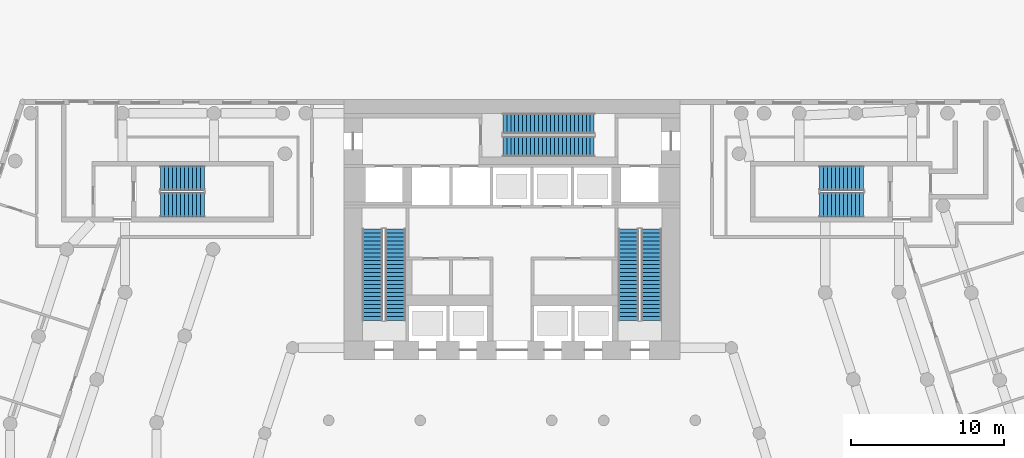
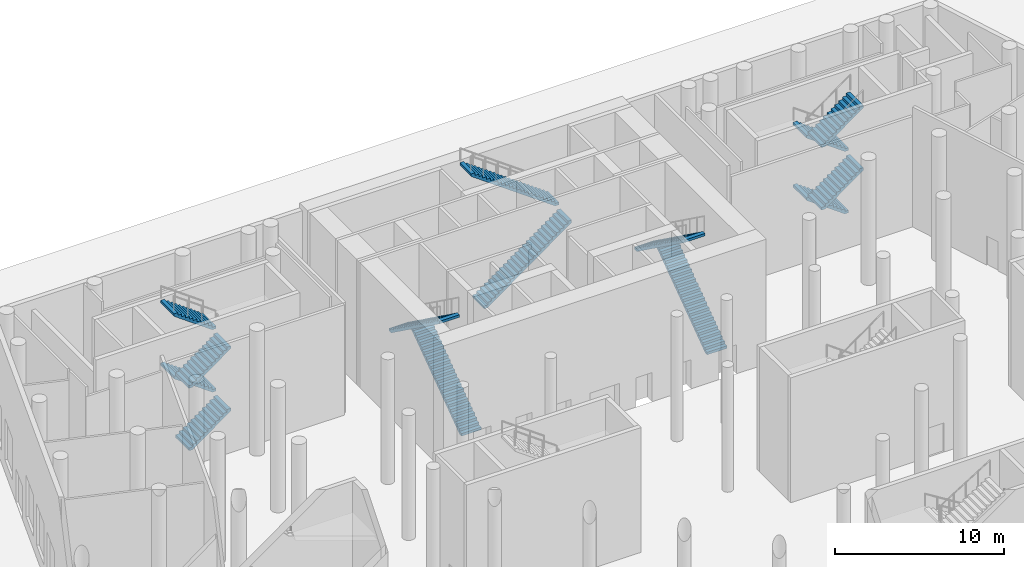
# One storey, part 18 of 25: 14 stair flights, 5 elements without a shape of their own.
"""IFC4 building model written with IfcOpenShell, lengths in metres."""

import ifcopenshell
import ifcopenshell.guid

model = None  # the IFC model being written
_history = None  # IfcOwnerHistory: only IFC2X3 demands one
_inside = {}  # id of a spatial element -> (the spatial element, [elements in it])
_under = {}  # id of a project, library or spatial element -> (it, [spatial elements below it])
_declared = {}  # id of a project -> (the project, [libraries it declares])
_typed = {}  # id of a type object -> (the type object, [elements of that type])
_made_of = {}  # id of a material, layer set ... -> (it, [elements and type objects made of it])


def new_model(schema):
    """Start an empty IFC model of exactly this schema.

    Asked for "IFC4X3", IfcOpenShell would pick the latest addendum, in which some entities
    have other attributes; the version numbers below select the first issue.
    IFC2X3 requires an IfcOwnerHistory on every rooted entity: one is made here for all.
    """
    global model, _history
    if schema == "IFC4X3":
        model = ifcopenshell.file(schema_version=(4, 3, 0, 0))
    else:
        model = ifcopenshell.file(schema=schema)
    _inside.clear()
    _under.clear()
    _declared.clear()
    _typed.clear()
    _made_of.clear()
    _history = None
    if model.schema == "IFC2X3":
        org = make("IfcOrganization", Name="unknown")
        user = make(
            "IfcPersonAndOrganization",
            ThePerson=make("IfcPerson", FamilyName="unknown"),
            TheOrganization=org,
        )
        app = make(
            "IfcApplication",
            ApplicationDeveloper=org,
            Version="unknown",
            ApplicationFullName="unknown",
            ApplicationIdentifier="unknown",
        )
        _history = make(
            "IfcOwnerHistory",
            OwningUser=user,
            OwningApplication=app,
            ChangeAction="ADDED",
            CreationDate=0,
        )
    return model


def make(cls, **values):
    """One entity of the class cls with the attributes given. An attribute that is None is left unset."""
    return model.create_entity(
        cls, **{name: value for name, value in values.items() if value is not None}
    )


def rooted(cls, **values):
    """An entity with a GlobalId (a new one), such as an element, a storey or a relation."""
    return make(cls, GlobalId=ifcopenshell.guid.new(), OwnerHistory=_history, **values)


def si_unit(unit_type, name, prefix=None):
    """IfcSIUnit, for example si_unit("LENGTHUNIT", "METRE", prefix="MILLI")."""
    return make("IfcSIUnit", UnitType=unit_type, Prefix=prefix, Name=name)


def assignment(units):
    """IfcUnitAssignment: the units of a project."""
    return None if units is None else make("IfcUnitAssignment", Units=units)


def point(xyz):
    """IfcCartesianPoint."""
    return None if xyz is None else make("IfcCartesianPoint", Coordinates=xyz)


def direction(xyz):
    """IfcDirection."""
    return None if xyz is None else make("IfcDirection", DirectionRatios=xyz)


def frame(location, z_axis=None, x_axis=None):
    """IfcAxis2Placement3D, a coordinate frame: its origin and axes. An axis left out is left unset."""
    return make(
        "IfcAxis2Placement3D",
        Location=point(location),
        Axis=direction(z_axis),
        RefDirection=direction(x_axis),
    )


def origin():
    """The frame at (0, 0, 0) with its axes left unset."""
    return frame((0.0, 0.0, 0.0))


def place(relative_to, where):
    """IfcLocalPlacement: puts the frame where relative to a parent placement (None: the world)."""
    return make(
        "IfcLocalPlacement", PlacementRelTo=relative_to, RelativePlacement=where
    )


def context(
    kind, dimensions, precision=None, world=None, true_north=None, identifier=None
):
    """IfcGeometricRepresentationContext, for example the 3D "Model" context."""
    return make(
        "IfcGeometricRepresentationContext",
        ContextIdentifier=identifier,
        ContextType=kind,
        CoordinateSpaceDimension=dimensions,
        Precision=precision,
        WorldCoordinateSystem=world,
        TrueNorth=true_north,
    )


def subcontext(parent, identifier, kind, view, scale=None):
    """IfcGeometricRepresentationSubContext, for example "Body" below "Model"."""
    return make(
        "IfcGeometricRepresentationSubContext",
        ContextIdentifier=identifier,
        ContextType=kind,
        ParentContext=parent,
        TargetScale=scale,
        TargetView=view,
    )


def project(units=None, contexts=None):
    """IfcProject with its units and contexts."""
    return rooted(
        "IfcProject",
        Name="project",
        RepresentationContexts=contexts,
        UnitsInContext=assignment(units),
    )


def spatial(cls, under=None, at=None, **own):
    """A site, building, storey or space (cls), placed at a placement, below another one or the project."""
    s = rooted(cls, ObjectPlacement=at, **own)
    if under is not None:
        _under.setdefault(under.id(), (under, []))[1].append(s)
    return s


def polyline(points):
    """IfcPolyline through the points."""
    return make("IfcPolyline", Points=[point(p) for p in points])


def outline(outer, holes=None, kind="AREA"):
    """IfcArbitraryClosedProfileDef: a profile drawn as a closed curve; with holes, ...WithVoids."""
    if holes is None:
        return make("IfcArbitraryClosedProfileDef", ProfileType=kind, OuterCurve=outer)
    return make(
        "IfcArbitraryProfileDefWithVoids",
        ProfileType=kind,
        OuterCurve=outer,
        InnerCurves=holes,
    )


def extrude(swept, where, along, depth):
    """IfcExtrudedAreaSolid: the profile swept, set in the frame where, extruded along a direction by depth."""
    return make(
        "IfcExtrudedAreaSolid",
        SweptArea=swept,
        Position=where,
        ExtrudedDirection=direction(along),
        Depth=depth,
    )


def shape(context_of_items, identifier, shape_type, items):
    """IfcShapeRepresentation: the items that make up one representation, for example the "Body"."""
    return make(
        "IfcShapeRepresentation",
        ContextOfItems=context_of_items,
        RepresentationIdentifier=identifier,
        RepresentationType=shape_type,
        Items=items,
    )


def material(Name=None, Category=None):
    """IfcMaterial."""
    return make("IfcMaterial", Name=Name, Category=Category)


def layer(
    of_material, thickness, ventilated=None, Name=None, Category=None, Priority=None
):
    """IfcMaterialLayer: one layer of a wall or slab, of a material (None: an air gap)."""
    return make(
        "IfcMaterialLayer",
        Material=of_material,
        LayerThickness=thickness,
        IsVentilated=ventilated,
        Name=Name,
        Category=Category,
        Priority=Priority,
    )


def layer_set(layers, Name=None):
    """IfcMaterialLayerSet."""
    return make("IfcMaterialLayerSet", MaterialLayers=layers, LayerSetName=Name)


def made_of(thing, what):
    """Note that an element or type object is made of a material, layer set ...; save() writes the relation."""
    if what is not None:
        _made_of.setdefault(what.id(), (what, []))[1].append(thing)
    return thing


def type_object(cls, material=None, **own):
    """A type object (cls), such as IfcWallType, which elements share."""
    return made_of(rooted(cls, **own), material)


def element(
    cls,
    number,
    at=None,
    inside=None,
    cuts=None,
    type_object=None,
    material=None,
    context=None,
    identifier="Body",
    shape_type=None,
    held_by="IfcProductDefinitionShape",
    body=None,
    shapes=None,
    **own,
):
    """One element of the class cls, such as IfcWall. Its Tag is "e" and its number.

    at: its placement. inside: the storey or other place that contains it. cuts: it is an
    opening in that element (IfcRelVoidsElement). A single representation is given by context,
    identifier, shape_type and body (its items); several are given by shapes. held_by: the class
    of the entity that holds the representations. save() writes the other relations.
    """
    e = rooted(cls, Tag="e%d" % number, ObjectPlacement=at, **own)
    if body is not None:
        shapes = [shape(context, identifier, shape_type, body)]
    if shapes is not None:
        e.Representation = make(held_by, Representations=shapes)
    if inside is not None:
        _inside.setdefault(inside.id(), (inside, []))[1].append(e)
    if cuts is not None:
        rooted(
            "IfcRelVoidsElement", RelatingBuildingElement=cuts, RelatedOpeningElement=e
        )
    if type_object is not None:
        _typed.setdefault(type_object.id(), (type_object, []))[1].append(e)
    return made_of(e, material)


def aggregate(whole, parts):
    """IfcRelAggregates: a whole, such as a stair, and the parts it consists of."""
    return rooted("IfcRelAggregates", RelatingObject=whole, RelatedObjects=parts)


def save(model, path):
    """Write the relations noted so far, then the file.

    IfcRelAggregates (storeys below a building ...), IfcRelContainedInSpatialStructure (elements
    in a storey), IfcRelDefinesByType, IfcRelAssociatesMaterial and IfcRelDeclares: one each for
    every whole, place, type object, material and project.
    """
    for whole, parts in _under.values():
        aggregate(whole, parts)
    for where, things in _inside.values():
        rooted(
            "IfcRelContainedInSpatialStructure",
            RelatedElements=things,
            RelatingStructure=where,
        )
    for kind, things in _typed.values():
        rooted("IfcRelDefinesByType", RelatedObjects=things, RelatingType=kind)
    for what, things in _made_of.values():
        rooted("IfcRelAssociatesMaterial", RelatedObjects=things, RelatingMaterial=what)
    for by, libraries in _declared.values():
        rooted("IfcRelDeclares", RelatingContext=by, RelatedDefinitions=libraries)
    model.write(path)


model = new_model("IFC4")

# Units and contexts
model_context = context("Model", 3, precision=1e-05, world=origin(), true_north=direction((0.0, 1.0)))
body_context = subcontext(model_context, "Body", "Model", "MODEL_VIEW")
ifc_project = project(units=[si_unit("LENGTHUNIT", "METRE"), si_unit("AREAUNIT", "SQUARE_METRE"), si_unit("VOLUMEUNIT", "CUBIC_METRE"), si_unit("PLANEANGLEUNIT", "RADIAN"), si_unit("MASSUNIT", "GRAM", prefix="KILO")], contexts=[model_context])

# Site, building, storey
site_placement = place(None, origin())
site = spatial("IfcSite", under=ifc_project, at=site_placement, CompositionType="ELEMENT")
building_placement = place(site_placement, origin())
building = spatial("IfcBuilding", under=site, at=building_placement, Name="White Candle Pilgrim Tower", CompositionType="ELEMENT")
storey_placement = place(building_placement, origin())
storey = spatial("IfcBuildingStorey", under=building, at=storey_placement, Name="L00", CompositionType="ELEMENT", Elevation=0.0)

# Stair, stair flights
ifc_material = material(Name="Concrete C40/50", Category="concrete")
stair_type_1 = type_object("IfcStairType", Name="Exit stair 1 flight width 1350 mm", PredefinedType="HALF_TURN_STAIR", material=ifc_material)
stair_1_placement = place(storey_placement, origin())
stair_1 = element("IfcStair", 1, at=stair_1_placement, inside=storey, type_object=stair_type_1, Name="L00 stair 1", PredefinedType="NOTDEFINED")
ifc_layer = layer(ifc_material, 0.14990234375)
ifc_layer_set = layer_set([ifc_layer], Name="Stair flight Concrete C40/50")
stair_flight_type = type_object("IfcStairFlightType", Name="Stair flight Concrete C40/50", PredefinedType="STRAIGHT", material=ifc_layer_set)
stair_flight_1_placement = place(storey_placement, frame((62.375, 73.550048828125, 0.0), z_axis=(0.0, 0.0, 1.0), x_axis=(0.0, 1.0, 0.0)))
stair_flight_1 = element("IfcStairFlight", 2, at=stair_flight_1_placement, type_object=stair_flight_type, Name="ST1 flight 1", NumberOfRisers=24, NumberOfTreads=23, PredefinedType="NOTDEFINED", RiserHeight=0.1875, TreadLength=0.26, context=body_context, shape_type="SweptSolid", body=[
    extrude(outline(polyline([(0.0, 0.0), (0.0, 0.1875), (0.260009765625, 0.1875), (0.260009765625, 0.375), (0.52001953125, 0.375), (0.52001953125, 0.5625), (0.780029296875, 0.5625), (0.780029296875, 0.75), (1.0400390625, 0.75), (1.0400390625, 0.9375), (1.300048828125, 0.9375), (1.300048828125, 1.125), (1.56005859375, 1.125), (1.56005859375, 1.3125), (1.820068359375, 1.3125), (1.820068359375, 1.5), (2.080078125, 1.5), (2.080078125, 1.6875), (2.340087890625, 1.6875), (2.340087890625, 1.875), (2.60009765625, 1.875), (2.60009765625, 2.0625), (2.860107421875, 2.0625), (2.860107421875, 2.25), (3.1201171875, 2.25), (3.1201171875, 2.4375), (3.3798828125, 2.4375), (3.3798828125, 2.625), (3.639892578125, 2.625), (3.639892578125, 2.8125), (3.89990234375, 2.8125), (3.89990234375, 3.0), (4.159912109375, 3.0), (4.159912109375, 3.1875), (4.419921875, 3.1875), (4.419921875, 3.375), (4.679931640625, 3.375), (4.679931640625, 3.5625), (4.93994140625, 3.5625), (4.93994140625, 3.75), (5.199951171875, 3.75), (5.199951171875, 3.9375), (5.4599609375, 3.9375), (5.4599609375, 4.125), (5.719970703125, 4.125), (5.719970703125, 4.3125), (5.97998046875, 4.3125), (5.97998046875, 4.5), (5.97998046875, 4.127685546875), (0.25634765625, 0.0), (0.0, 0.0)])), frame((0.0, 0.675048828125, 0.0), z_axis=(0.0, -1.0, 0.0), x_axis=(1.0, 0.0, 0.0)), (0.0, 0.0, 1.0), 1.35009765625),
])
stair_flight_2_placement = place(storey_placement, frame((60.875, 79.530029296875, 4.5), z_axis=(0.0, 0.0, 1.0), x_axis=(0.0, -1.0, 0.0)))
stair_flight_2 = element("IfcStairFlight", 3, at=stair_flight_2_placement, type_object=stair_flight_type, Name="ST1 flight 2", NumberOfRisers=24, NumberOfTreads=23, PredefinedType="NOTDEFINED", RiserHeight=0.1875, TreadLength=0.26, context=body_context, shape_type="SweptSolid", body=[
    extrude(outline(polyline([(0.0, 0.0), (0.0, 0.1875), (0.260009765625, 0.1875), (0.260009765625, 0.375), (0.52001953125, 0.375), (0.52001953125, 0.5625), (0.780029296875, 0.5625), (0.780029296875, 0.75), (1.0400390625, 0.75), (1.0400390625, 0.9375), (1.300048828125, 0.9375), (1.300048828125, 1.125), (1.56005859375, 1.125), (1.56005859375, 1.3125), (1.820068359375, 1.3125), (1.820068359375, 1.5), (2.080078125, 1.5), (2.080078125, 1.6875), (2.340087890625, 1.6875), (2.340087890625, 1.875), (2.60009765625, 1.875), (2.60009765625, 2.0625), (2.860107421875, 2.0625), (2.860107421875, 2.25), (3.1201171875, 2.25), (3.1201171875, 2.4375), (3.3798828125, 2.4375), (3.3798828125, 2.625), (3.639892578125, 2.625), (3.639892578125, 2.8125), (3.89990234375, 2.8125), (3.89990234375, 3.0), (4.159912109375, 3.0), (4.159912109375, 3.1875), (4.419921875, 3.1875), (4.419921875, 3.375), (4.679931640625, 3.375), (4.679931640625, 3.5625), (4.93994140625, 3.5625), (4.93994140625, 3.75), (5.199951171875, 3.75), (5.199951171875, 3.9375), (5.4599609375, 3.9375), (5.4599609375, 4.125), (5.719970703125, 4.125), (5.719970703125, 4.3125), (5.97998046875, 4.3125), (5.97998046875, 4.5), (5.97998046875, 4.127685546875), (0.25634765625, 0.0), (0.0, 0.0)])), frame((0.0, 0.675048828125, 0.0), z_axis=(0.0, -1.0, 0.0), x_axis=(1.0, 0.0, 0.0)), (0.0, 0.0, 1.0), 1.35009765625),
])
aggregate(stair_1, [stair_flight_1, stair_flight_2])

stair_type_2 = type_object("IfcStairType", Name="Exit stair 2 flight width 1350 mm", PredefinedType="HALF_TURN_STAIR", material=ifc_material)
stair_2_placement = place(storey_placement, origin())
stair_2 = element("IfcStair", 4, at=stair_2_placement, inside=storey, type_object=stair_type_2, Name="L00 stair 2", PredefinedType="NOTDEFINED")
stair_flight_3_placement = place(storey_placement, frame((79.125, 73.550048828125, 0.0), z_axis=(0.0, 0.0, 1.0), x_axis=(0.0, 1.0, 0.0)))
stair_flight_3 = element("IfcStairFlight", 5, at=stair_flight_3_placement, type_object=stair_flight_type, Name="ST2 flight 1", NumberOfRisers=24, NumberOfTreads=23, PredefinedType="NOTDEFINED", RiserHeight=0.1875, TreadLength=0.26, context=body_context, shape_type="SweptSolid", body=[
    extrude(outline(polyline([(0.0, 0.0), (0.0, 0.1875), (0.260009765625, 0.1875), (0.260009765625, 0.375), (0.52001953125, 0.375), (0.52001953125, 0.5625), (0.780029296875, 0.5625), (0.780029296875, 0.75), (1.0400390625, 0.75), (1.0400390625, 0.9375), (1.300048828125, 0.9375), (1.300048828125, 1.125), (1.56005859375, 1.125), (1.56005859375, 1.3125), (1.820068359375, 1.3125), (1.820068359375, 1.5), (2.080078125, 1.5), (2.080078125, 1.6875), (2.340087890625, 1.6875), (2.340087890625, 1.875), (2.60009765625, 1.875), (2.60009765625, 2.0625), (2.860107421875, 2.0625), (2.860107421875, 2.25), (3.1201171875, 2.25), (3.1201171875, 2.4375), (3.3798828125, 2.4375), (3.3798828125, 2.625), (3.639892578125, 2.625), (3.639892578125, 2.8125), (3.89990234375, 2.8125), (3.89990234375, 3.0), (4.159912109375, 3.0), (4.159912109375, 3.1875), (4.419921875, 3.1875), (4.419921875, 3.375), (4.679931640625, 3.375), (4.679931640625, 3.5625), (4.93994140625, 3.5625), (4.93994140625, 3.75), (5.199951171875, 3.75), (5.199951171875, 3.9375), (5.4599609375, 3.9375), (5.4599609375, 4.125), (5.719970703125, 4.125), (5.719970703125, 4.3125), (5.97998046875, 4.3125), (5.97998046875, 4.5), (5.97998046875, 4.127685546875), (0.25634765625, 0.0), (0.0, 0.0)])), frame((0.0, 0.675048828125, 0.0), z_axis=(0.0, -1.0, 0.0), x_axis=(1.0, 0.0, 0.0)), (0.0, 0.0, 1.0), 1.35009765625),
])
stair_flight_4_placement = place(storey_placement, frame((77.625, 79.530029296875, 4.5), z_axis=(0.0, 0.0, 1.0), x_axis=(0.0, -1.0, 0.0)))
stair_flight_4 = element("IfcStairFlight", 6, at=stair_flight_4_placement, type_object=stair_flight_type, Name="ST2 flight 2", NumberOfRisers=24, NumberOfTreads=23, PredefinedType="NOTDEFINED", RiserHeight=0.1875, TreadLength=0.26, context=body_context, shape_type="SweptSolid", body=[
    extrude(outline(polyline([(0.0, 0.0), (0.0, 0.1875), (0.260009765625, 0.1875), (0.260009765625, 0.375), (0.52001953125, 0.375), (0.52001953125, 0.5625), (0.780029296875, 0.5625), (0.780029296875, 0.75), (1.0400390625, 0.75), (1.0400390625, 0.9375), (1.300048828125, 0.9375), (1.300048828125, 1.125), (1.56005859375, 1.125), (1.56005859375, 1.3125), (1.820068359375, 1.3125), (1.820068359375, 1.5), (2.080078125, 1.5), (2.080078125, 1.6875), (2.340087890625, 1.6875), (2.340087890625, 1.875), (2.60009765625, 1.875), (2.60009765625, 2.0625), (2.860107421875, 2.0625), (2.860107421875, 2.25), (3.1201171875, 2.25), (3.1201171875, 2.4375), (3.3798828125, 2.4375), (3.3798828125, 2.625), (3.639892578125, 2.625), (3.639892578125, 2.8125), (3.89990234375, 2.8125), (3.89990234375, 3.0), (4.159912109375, 3.0), (4.159912109375, 3.1875), (4.419921875, 3.1875), (4.419921875, 3.375), (4.679931640625, 3.375), (4.679931640625, 3.5625), (4.93994140625, 3.5625), (4.93994140625, 3.75), (5.199951171875, 3.75), (5.199951171875, 3.9375), (5.4599609375, 3.9375), (5.4599609375, 4.125), (5.719970703125, 4.125), (5.719970703125, 4.3125), (5.97998046875, 4.3125), (5.97998046875, 4.5), (5.97998046875, 4.127685546875), (0.25634765625, 0.0), (0.0, 0.0)])), frame((0.0, 0.675048828125, 0.0), z_axis=(0.0, -1.0, 0.0), x_axis=(1.0, 0.0, 0.0)), (0.0, 0.0, 1.0), 1.35009765625),
])
aggregate(stair_2, [stair_flight_3, stair_flight_4])

stair_type_3 = type_object("IfcStairType", Name="Exit stair 3 flight width 1350 mm", PredefinedType="HALF_TURN_STAIR", material=ifc_material)
stair_3_placement = place(storey_placement, origin())
stair_3 = element("IfcStair", 7, at=stair_3_placement, inside=storey, type_object=stair_type_3, Name="L00 stair 3", PredefinedType="NOTDEFINED")
stair_flight_5_placement = place(storey_placement, frame((69.39990234375, 84.925048828125, 0.0), z_axis=(0.0, 0.0, 1.0), x_axis=(1.0, 0.0, 0.0)))
stair_flight_5 = element("IfcStairFlight", 8, at=stair_flight_5_placement, type_object=stair_flight_type, Name="ST3 flight 1", NumberOfRisers=24, NumberOfTreads=23, PredefinedType="NOTDEFINED", RiserHeight=0.1875, TreadLength=0.26, context=body_context, shape_type="SweptSolid", body=[
    extrude(outline(polyline([(0.0, 0.0), (0.0, 0.1875), (0.260009765625, 0.1875), (0.260009765625, 0.375), (0.52001953125, 0.375), (0.52001953125, 0.5625), (0.780029296875, 0.5625), (0.780029296875, 0.75), (1.0400390625, 0.75), (1.0400390625, 0.9375), (1.300048828125, 0.9375), (1.300048828125, 1.125), (1.56005859375, 1.125), (1.56005859375, 1.3125), (1.820068359375, 1.3125), (1.820068359375, 1.5), (2.080078125, 1.5), (2.080078125, 1.6875), (2.340087890625, 1.6875), (2.340087890625, 1.875), (2.60009765625, 1.875), (2.60009765625, 2.0625), (2.860107421875, 2.0625), (2.860107421875, 2.25), (3.1201171875, 2.25), (3.1201171875, 2.4375), (3.3798828125, 2.4375), (3.3798828125, 2.625), (3.639892578125, 2.625), (3.639892578125, 2.8125), (3.89990234375, 2.8125), (3.89990234375, 3.0), (4.159912109375, 3.0), (4.159912109375, 3.1875), (4.419921875, 3.1875), (4.419921875, 3.375), (4.679931640625, 3.375), (4.679931640625, 3.5625), (4.93994140625, 3.5625), (4.93994140625, 3.75), (5.199951171875, 3.75), (5.199951171875, 3.9375), (5.4599609375, 3.9375), (5.4599609375, 4.125), (5.719970703125, 4.125), (5.719970703125, 4.3125), (5.97998046875, 4.3125), (5.97998046875, 4.5), (5.97998046875, 4.127685546875), (0.25634765625, 0.0), (0.0, 0.0)])), frame((0.0, 0.675048828125, 0.0), z_axis=(0.0, -1.0, 0.0), x_axis=(1.0, 0.0, 0.0)), (0.0, 0.0, 1.0), 1.35009765625),
])
stair_flight_6_placement = place(storey_placement, frame((75.3798828125, 86.425048828125, 4.5), z_axis=(0.0, 0.0, 1.0), x_axis=(-1.0, 0.0, 0.0)))
stair_flight_6 = element("IfcStairFlight", 9, at=stair_flight_6_placement, type_object=stair_flight_type, Name="ST3 flight 2", NumberOfRisers=24, NumberOfTreads=23, PredefinedType="NOTDEFINED", RiserHeight=0.1875, TreadLength=0.26, context=body_context, shape_type="SweptSolid", body=[
    extrude(outline(polyline([(0.0, 0.0), (0.0, 0.1875), (0.260009765625, 0.1875), (0.260009765625, 0.375), (0.52001953125, 0.375), (0.52001953125, 0.5625), (0.780029296875, 0.5625), (0.780029296875, 0.75), (1.0400390625, 0.75), (1.0400390625, 0.9375), (1.300048828125, 0.9375), (1.300048828125, 1.125), (1.56005859375, 1.125), (1.56005859375, 1.3125), (1.820068359375, 1.3125), (1.820068359375, 1.5), (2.080078125, 1.5), (2.080078125, 1.6875), (2.340087890625, 1.6875), (2.340087890625, 1.875), (2.60009765625, 1.875), (2.60009765625, 2.0625), (2.860107421875, 2.0625), (2.860107421875, 2.25), (3.1201171875, 2.25), (3.1201171875, 2.4375), (3.3798828125, 2.4375), (3.3798828125, 2.625), (3.639892578125, 2.625), (3.639892578125, 2.8125), (3.89990234375, 2.8125), (3.89990234375, 3.0), (4.159912109375, 3.0), (4.159912109375, 3.1875), (4.419921875, 3.1875), (4.419921875, 3.375), (4.679931640625, 3.375), (4.679931640625, 3.5625), (4.93994140625, 3.5625), (4.93994140625, 3.75), (5.199951171875, 3.75), (5.199951171875, 3.9375), (5.4599609375, 3.9375), (5.4599609375, 4.125), (5.719970703125, 4.125), (5.719970703125, 4.3125), (5.97998046875, 4.3125), (5.97998046875, 4.5), (5.97998046875, 4.127685546875), (0.25634765625, 0.0), (0.0, 0.0)])), frame((0.0, 0.675048828125, 0.0), z_axis=(0.0, -1.0, 0.0), x_axis=(1.0, 0.0, 0.0)), (0.0, 0.0, 1.0), 1.35009765625),
])
aggregate(stair_3, [stair_flight_5, stair_flight_6])

stair_type_4 = type_object("IfcStairType", Name="Exit stair 10 flight width 1600 mm", PredefinedType="HALF_TURN_STAIR", material=ifc_material)
stair_4_placement = place(storey_placement, origin())
stair_4 = element("IfcStair", 10, at=stair_4_placement, inside=storey, type_object=stair_type_4, Name="L00 stair 10", PredefinedType="NOTDEFINED")
stair_flight_7_placement = place(storey_placement, frame((47.0, 81.10009765625, 0.0), z_axis=(0.0, 0.0, 1.0), x_axis=(1.0, 0.0, 0.0)))
stair_flight_7 = element("IfcStairFlight", 11, at=stair_flight_7_placement, type_object=stair_flight_type, Name="ST10 flight 1", NumberOfRisers=12, NumberOfTreads=11, PredefinedType="NOTDEFINED", RiserHeight=0.1875, TreadLength=0.26, context=body_context, shape_type="SweptSolid", body=[
    extrude(outline(polyline([(0.0, 0.0), (0.0, 0.1875), (0.260009765625, 0.1875), (0.260009765625, 0.375), (0.52001953125, 0.375), (0.52001953125, 0.5625), (0.780029296875, 0.5625), (0.780029296875, 0.75), (1.0400390625, 0.75), (1.0400390625, 0.9375), (1.300048828125, 0.9375), (1.300048828125, 1.125), (1.56005859375, 1.125), (1.56005859375, 1.3125), (1.820068359375, 1.3125), (1.820068359375, 1.5), (2.080078125, 1.5), (2.080078125, 1.6875), (2.340087890625, 1.6875), (2.340087890625, 1.875), (2.60009765625, 1.875), (2.60009765625, 2.0625), (2.860107421875, 2.0625), (2.860107421875, 2.25), (2.860107421875, 1.877685546875), (0.25634765625, 0.0), (0.0, 0.0)])), frame((0.0, 0.800048828125, 0.0), z_axis=(0.0, -1.0, 0.0), x_axis=(1.0, 0.0, 0.0)), (0.0, 0.0, 1.0), 1.60009765625),
])
stair_flight_8_placement = place(storey_placement, frame((49.860107421875, 82.85009765625, 2.25), z_axis=(0.0, 0.0, 1.0), x_axis=(-1.0, 0.0, 0.0)))
stair_flight_8 = element("IfcStairFlight", 12, at=stair_flight_8_placement, type_object=stair_flight_type, Name="ST10 flight 2", NumberOfRisers=12, NumberOfTreads=11, PredefinedType="NOTDEFINED", RiserHeight=0.1875, TreadLength=0.26, context=body_context, shape_type="SweptSolid", body=[
    extrude(outline(polyline([(0.0, 0.0), (0.0, 0.1875), (0.260009765625, 0.1875), (0.260009765625, 0.375), (0.52001953125, 0.375), (0.52001953125, 0.5625), (0.780029296875, 0.5625), (0.780029296875, 0.75), (1.0400390625, 0.75), (1.0400390625, 0.9375), (1.300048828125, 0.9375), (1.300048828125, 1.125), (1.56005859375, 1.125), (1.56005859375, 1.3125), (1.820068359375, 1.3125), (1.820068359375, 1.5), (2.080078125, 1.5), (2.080078125, 1.6875), (2.340087890625, 1.6875), (2.340087890625, 1.875), (2.60009765625, 1.875), (2.60009765625, 2.0625), (2.860107421875, 2.0625), (2.860107421875, 2.25), (2.860107421875, 1.877685546875), (0.25634765625, 0.0), (0.0, 0.0)])), frame((0.0, 0.800048828125, 0.0), z_axis=(0.0, -1.0, 0.0), x_axis=(1.0, 0.0, 0.0)), (0.0, 0.0, 1.0), 1.60009765625),
])
stair_flight_9_placement = place(storey_placement, frame((47.0, 81.10009765625, 4.5), z_axis=(0.0, 0.0, 1.0), x_axis=(1.0, 0.0, 0.0)))
stair_flight_9 = element("IfcStairFlight", 13, at=stair_flight_9_placement, type_object=stair_flight_type, Name="ST10 flight 3", NumberOfRisers=12, NumberOfTreads=11, PredefinedType="NOTDEFINED", RiserHeight=0.1875, TreadLength=0.26, context=body_context, shape_type="SweptSolid", body=[
    extrude(outline(polyline([(0.0, 0.0), (0.0, 0.1875), (0.260009765625, 0.1875), (0.260009765625, 0.375), (0.52001953125, 0.375), (0.52001953125, 0.5625), (0.780029296875, 0.5625), (0.780029296875, 0.75), (1.0400390625, 0.75), (1.0400390625, 0.9375), (1.300048828125, 0.9375), (1.300048828125, 1.125), (1.56005859375, 1.125), (1.56005859375, 1.3125), (1.820068359375, 1.3125), (1.820068359375, 1.5), (2.080078125, 1.5), (2.080078125, 1.6875), (2.340087890625, 1.6875), (2.340087890625, 1.875), (2.60009765625, 1.875), (2.60009765625, 2.0625), (2.860107421875, 2.0625), (2.860107421875, 2.25), (2.860107421875, 1.877685546875), (0.25634765625, 0.0), (0.0, 0.0)])), frame((0.0, 0.800048828125, 0.0), z_axis=(0.0, -1.0, 0.0), x_axis=(1.0, 0.0, 0.0)), (0.0, 0.0, 1.0), 1.60009765625),
])
stair_flight_10_placement = place(storey_placement, frame((49.860107421875, 82.85009765625, 6.75), z_axis=(0.0, 0.0, 1.0), x_axis=(-1.0, 0.0, 0.0)))
stair_flight_10 = element("IfcStairFlight", 14, at=stair_flight_10_placement, type_object=stair_flight_type, Name="ST10 flight 4", NumberOfRisers=12, NumberOfTreads=11, PredefinedType="NOTDEFINED", RiserHeight=0.1875, TreadLength=0.26, context=body_context, shape_type="SweptSolid", body=[
    extrude(outline(polyline([(0.0, 0.0), (0.0, 0.1875), (0.260009765625, 0.1875), (0.260009765625, 0.375), (0.52001953125, 0.375), (0.52001953125, 0.5625), (0.780029296875, 0.5625), (0.780029296875, 0.75), (1.0400390625, 0.75), (1.0400390625, 0.9375), (1.300048828125, 0.9375), (1.300048828125, 1.125), (1.56005859375, 1.125), (1.56005859375, 1.3125), (1.820068359375, 1.3125), (1.820068359375, 1.5), (2.080078125, 1.5), (2.080078125, 1.6875), (2.340087890625, 1.6875), (2.340087890625, 1.875), (2.60009765625, 1.875), (2.60009765625, 2.0625), (2.860107421875, 2.0625), (2.860107421875, 2.25), (2.860107421875, 1.877685546875), (0.25634765625, 0.0), (0.0, 0.0)])), frame((0.0, 0.800048828125, 0.0), z_axis=(0.0, -1.0, 0.0), x_axis=(1.0, 0.0, 0.0)), (0.0, 0.0, 1.0), 1.60009765625),
])
aggregate(stair_4, [stair_flight_7, stair_flight_8, stair_flight_9, stair_flight_10])

stair_type_5 = type_object("IfcStairType", Name="Exit stair 11 flight width 1600 mm", PredefinedType="HALF_TURN_STAIR", material=ifc_material)
stair_5_placement = place(storey_placement, origin())
stair_5 = element("IfcStair", 15, at=stair_5_placement, inside=storey, type_object=stair_type_5, Name="L00 stair 11", PredefinedType="NOTDEFINED")
stair_flight_11_placement = place(storey_placement, frame((93.0, 82.85009765625, 0.0), z_axis=(0.0, 0.0, 1.0), x_axis=(-1.0, 0.0, 0.0)))
stair_flight_11 = element("IfcStairFlight", 16, at=stair_flight_11_placement, type_object=stair_flight_type, Name="ST11 flight 1", NumberOfRisers=12, NumberOfTreads=11, PredefinedType="NOTDEFINED", RiserHeight=0.1875, TreadLength=0.26, context=body_context, shape_type="SweptSolid", body=[
    extrude(outline(polyline([(0.0, 0.0), (0.0, 0.1875), (0.260009765625, 0.1875), (0.260009765625, 0.375), (0.52001953125, 0.375), (0.52001953125, 0.5625), (0.780029296875, 0.5625), (0.780029296875, 0.75), (1.0400390625, 0.75), (1.0400390625, 0.9375), (1.300048828125, 0.9375), (1.300048828125, 1.125), (1.56005859375, 1.125), (1.56005859375, 1.3125), (1.820068359375, 1.3125), (1.820068359375, 1.5), (2.080078125, 1.5), (2.080078125, 1.6875), (2.340087890625, 1.6875), (2.340087890625, 1.875), (2.60009765625, 1.875), (2.60009765625, 2.0625), (2.860107421875, 2.0625), (2.860107421875, 2.25), (2.860107421875, 1.877685546875), (0.25634765625, 0.0), (0.0, 0.0)])), frame((0.0, 0.800048828125, 0.0), z_axis=(0.0, -1.0, 0.0), x_axis=(1.0, 0.0, 0.0)), (0.0, 0.0, 1.0), 1.60009765625),
])
stair_flight_12_placement = place(storey_placement, frame((90.139892578125, 81.10009765625, 2.25), z_axis=(0.0, 0.0, 1.0), x_axis=(1.0, 0.0, 0.0)))
stair_flight_12 = element("IfcStairFlight", 17, at=stair_flight_12_placement, type_object=stair_flight_type, Name="ST11 flight 2", NumberOfRisers=12, NumberOfTreads=11, PredefinedType="NOTDEFINED", RiserHeight=0.1875, TreadLength=0.26, context=body_context, shape_type="SweptSolid", body=[
    extrude(outline(polyline([(0.0, 0.0), (0.0, 0.1875), (0.260009765625, 0.1875), (0.260009765625, 0.375), (0.52001953125, 0.375), (0.52001953125, 0.5625), (0.780029296875, 0.5625), (0.780029296875, 0.75), (1.0400390625, 0.75), (1.0400390625, 0.9375), (1.300048828125, 0.9375), (1.300048828125, 1.125), (1.56005859375, 1.125), (1.56005859375, 1.3125), (1.820068359375, 1.3125), (1.820068359375, 1.5), (2.080078125, 1.5), (2.080078125, 1.6875), (2.340087890625, 1.6875), (2.340087890625, 1.875), (2.60009765625, 1.875), (2.60009765625, 2.0625), (2.860107421875, 2.0625), (2.860107421875, 2.25), (2.860107421875, 1.877685546875), (0.25634765625, 0.0), (0.0, 0.0)])), frame((0.0, 0.800048828125, 0.0), z_axis=(0.0, -1.0, 0.0), x_axis=(1.0, 0.0, 0.0)), (0.0, 0.0, 1.0), 1.60009765625),
])
stair_flight_13_placement = place(storey_placement, frame((93.0, 82.85009765625, 4.5), z_axis=(0.0, 0.0, 1.0), x_axis=(-1.0, 0.0, 0.0)))
stair_flight_13 = element("IfcStairFlight", 18, at=stair_flight_13_placement, type_object=stair_flight_type, Name="ST11 flight 3", NumberOfRisers=12, NumberOfTreads=11, PredefinedType="NOTDEFINED", RiserHeight=0.1875, TreadLength=0.26, context=body_context, shape_type="SweptSolid", body=[
    extrude(outline(polyline([(0.0, 0.0), (0.0, 0.1875), (0.260009765625, 0.1875), (0.260009765625, 0.375), (0.52001953125, 0.375), (0.52001953125, 0.5625), (0.780029296875, 0.5625), (0.780029296875, 0.75), (1.0400390625, 0.75), (1.0400390625, 0.9375), (1.300048828125, 0.9375), (1.300048828125, 1.125), (1.56005859375, 1.125), (1.56005859375, 1.3125), (1.820068359375, 1.3125), (1.820068359375, 1.5), (2.080078125, 1.5), (2.080078125, 1.6875), (2.340087890625, 1.6875), (2.340087890625, 1.875), (2.60009765625, 1.875), (2.60009765625, 2.0625), (2.860107421875, 2.0625), (2.860107421875, 2.25), (2.860107421875, 1.877685546875), (0.25634765625, 0.0), (0.0, 0.0)])), frame((0.0, 0.800048828125, 0.0), z_axis=(0.0, -1.0, 0.0), x_axis=(1.0, 0.0, 0.0)), (0.0, 0.0, 1.0), 1.60009765625),
])
stair_flight_14_placement = place(storey_placement, frame((90.139892578125, 81.10009765625, 6.75), z_axis=(0.0, 0.0, 1.0), x_axis=(1.0, 0.0, 0.0)))
stair_flight_14 = element("IfcStairFlight", 19, at=stair_flight_14_placement, type_object=stair_flight_type, Name="ST11 flight 4", NumberOfRisers=12, NumberOfTreads=11, PredefinedType="NOTDEFINED", RiserHeight=0.1875, TreadLength=0.26, context=body_context, shape_type="SweptSolid", body=[
    extrude(outline(polyline([(0.0, 0.0), (0.0, 0.1875), (0.260009765625, 0.1875), (0.260009765625, 0.375), (0.52001953125, 0.375), (0.52001953125, 0.5625), (0.780029296875, 0.5625), (0.780029296875, 0.75), (1.0400390625, 0.75), (1.0400390625, 0.9375), (1.300048828125, 0.9375), (1.300048828125, 1.125), (1.56005859375, 1.125), (1.56005859375, 1.3125), (1.820068359375, 1.3125), (1.820068359375, 1.5), (2.080078125, 1.5), (2.080078125, 1.6875), (2.340087890625, 1.6875), (2.340087890625, 1.875), (2.60009765625, 1.875), (2.60009765625, 2.0625), (2.860107421875, 2.0625), (2.860107421875, 2.25), (2.860107421875, 1.877685546875), (0.25634765625, 0.0), (0.0, 0.0)])), frame((0.0, 0.800048828125, 0.0), z_axis=(0.0, -1.0, 0.0), x_axis=(1.0, 0.0, 0.0)), (0.0, 0.0, 1.0), 1.60009765625),
])
aggregate(stair_5, [stair_flight_11, stair_flight_12, stair_flight_13, stair_flight_14])

save(model, "model.ifc")
